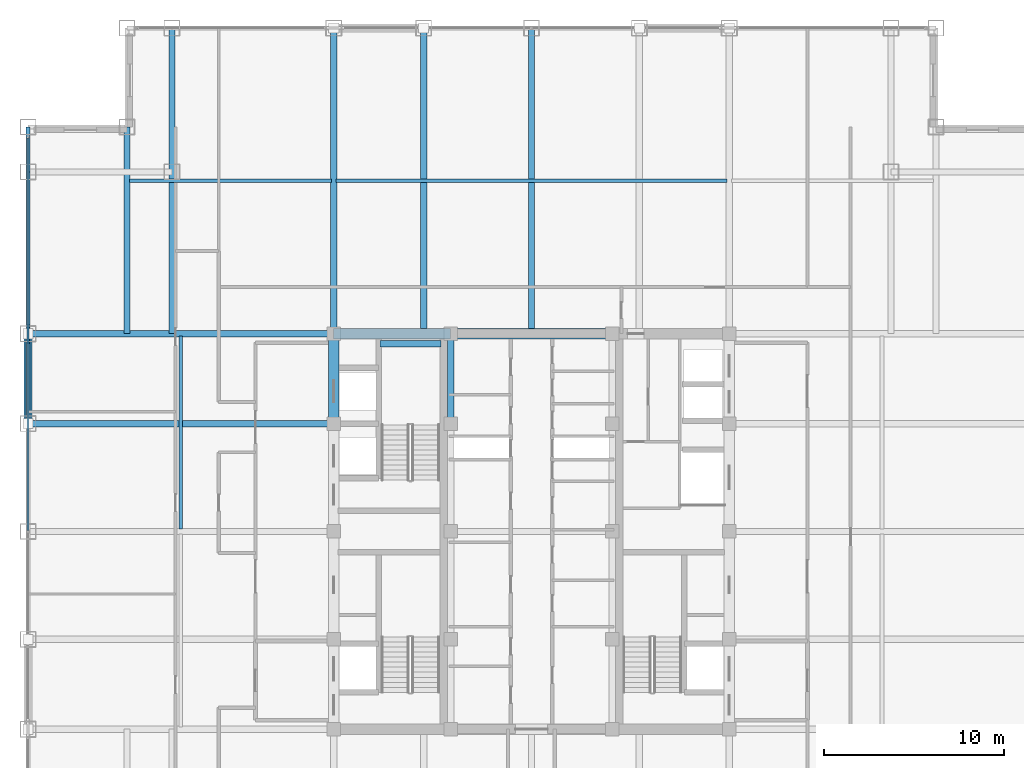
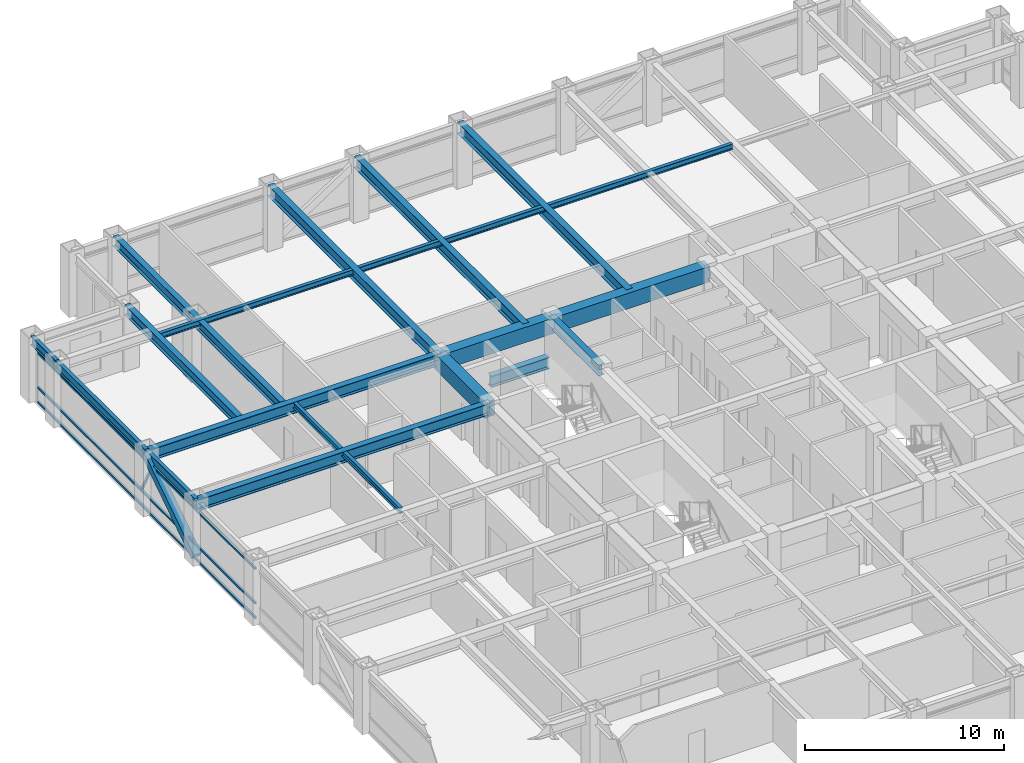
# One storey, part 11 of 22: 18 beams, 5 members, 1 element without a shape of its own.
"""IFC4 building model written with IfcOpenShell, lengths in metres."""

from ifc_helpers import new_model, si_unit, direction, frame, origin, origin_2d, place, context, subcontext, project, spatial, rectangle, hollow_rectangle, i_section, extrude, source, transform, mapped, material, material_profile, profile_set, type_object, element, aggregate, save


model = new_model("IFC4")

# Units and contexts
model_context = context("Model", 3, precision=1e-05, world=origin(), true_north=direction((0.0, 1.0)))
body_context = subcontext(model_context, "Body", "Model", "MODEL_VIEW")
ifc_project = project(units=[si_unit("LENGTHUNIT", "METRE"), si_unit("AREAUNIT", "SQUARE_METRE"), si_unit("VOLUMEUNIT", "CUBIC_METRE"), si_unit("PLANEANGLEUNIT", "RADIAN"), si_unit("MASSUNIT", "GRAM", prefix="KILO")], contexts=[model_context])

# Site, building, storey
site_placement = place(None, origin())
site = spatial("IfcSite", under=ifc_project, at=site_placement, CompositionType="ELEMENT")
building_placement = place(site_placement, origin())
building = spatial("IfcBuilding", under=site, at=building_placement, Name="Khorayat Bourse Tower", CompositionType="ELEMENT")
storey_placement = place(building_placement, frame((0.0, 0.0, 293.5)))
storey = spatial("IfcBuildingStorey", under=building, at=storey_placement, Name="L69", CompositionType="ELEMENT", Elevation=293.5)

# Beams
ifc_material_1 = material(Name="Steel ASTM A992 Grade 50", Category="steel")
ifc_material_profile_1 = material_profile(ifc_material_1, i_section(OverallWidth=0.35498046875, OverallDepth=0.695068359375, WebThickness=0.015380859375, FlangeThickness=0.02490234375, FilletRadius=0.01806640625, at=origin_2d()), Name="W690X217")
ifc_profile_set_1 = profile_set([ifc_material_profile_1], Name="Steel ASTM A992 Grade 50")
beam_type_1 = type_object("IfcBeamType", Name="BM-GIRD-690", PredefinedType="BEAM", material=ifc_profile_set_1)
shared_shape_1 = source(origin(), body_context, "Body", "SweptSolid", [
    extrude(i_section(OverallWidth=0.35498046875, OverallDepth=0.695068359375, WebThickness=0.015380859375, FlangeThickness=0.02490234375, FilletRadius=0.01806640625, at=origin_2d()), origin(), (0.0, 0.0, 1.0), 5.0),
])
beam_1_placement = place(storey_placement, frame((-4.5, 6.0, 3.4326171875), z_axis=(0.0, 1.0, 0.0), x_axis=(-1.0, 0.0, 0.0)))
element("IfcBeam", 1, at=beam_1_placement, inside=storey, type_object=beam_type_1, Name="L69 BM-GIRD-690 BM-L69-CRX-08", PredefinedType="BEAM", context=body_context, shape_type="MappedRepresentation", body=[
    mapped(shared_shape_1, transform((0.0, 0.0, 0.0), scale=1.0)),
])
shared_shape_2 = source(origin(), body_context, "Body", "SweptSolid", [
    extrude(i_section(OverallWidth=0.35498046875, OverallDepth=0.695068359375, WebThickness=0.015380859375, FlangeThickness=0.02490234375, FilletRadius=0.01806640625, at=origin_2d()), origin(), (0.0, 0.0, 1.0), 3.39990234375),
])
beam_2_placement = place(storey_placement, frame((-8.419921875, 10.449951171875, 1.452392578125), z_axis=(1.0, 0.0, 0.0), x_axis=(0.0, 1.0, 0.0)))
element("IfcBeam", 2, at=beam_2_placement, inside=storey, type_object=beam_type_1, Name="L69 BM-GIRD-690 BM-L69-ST2L", PredefinedType="BEAM", context=body_context, shape_type="MappedRepresentation", body=[
    mapped(shared_shape_2, transform((0.0, 0.0, 0.0), scale=1.0)),
])
ifc_material_profile_2 = material_profile(ifc_material_1, i_section(OverallWidth=0.324951171875, OverallDepth=0.615966796875, WebThickness=0.013916015625, FlangeThickness=0.021484375, FilletRadius=0.01611328125, at=origin_2d()), Name="W610X174")
ifc_profile_set_2 = profile_set([ifc_material_profile_2], Name="Steel ASTM A992 Grade 50")
beam_type_2 = type_object("IfcBeamType", Name="BM-GIRD-610", PredefinedType="BEAM", material=ifc_profile_set_2)
shared_shape_3 = source(origin(), body_context, "Body", "SweptSolid", [
    extrude(i_section(OverallWidth=0.324951171875, OverallDepth=0.615966796875, WebThickness=0.013916015625, FlangeThickness=0.021484375, FilletRadius=0.01611328125, at=origin_2d()), origin(), (0.0, 0.0, 1.0), 17.0),
])
beam_3_placement = place(storey_placement, frame((-20.0, 11.0, 3.471923828125), z_axis=(0.0, 1.0, 0.0), x_axis=(-1.0, 0.0, 0.0)))
element("IfcBeam", 3, at=beam_3_placement, inside=storey, type_object=beam_type_2, Name="L69 BM-GIRD-610 BM-L69-CNRY-085", PredefinedType="BEAM", context=body_context, shape_type="MappedRepresentation", body=[
    mapped(shared_shape_3, transform((0.0, 0.0, 0.0), scale=1.0)),
])
ifc_material_2 = material(Name="Concrete C60/75", Category="concrete")
ifc_material_profile_3 = material_profile(ifc_material_2, rectangle(XDim=0.60009765625, YDim=0.949951171875, at=origin_2d()), Name="RC 600x950")
ifc_profile_set_3 = profile_set([ifc_material_profile_3], Name="Concrete C60/75")
beam_type_3 = type_object("IfcBeamType", Name="BM-COUP-950", PredefinedType="BEAM", material=ifc_profile_set_3)
shared_shape_4 = source(origin(), body_context, "Body", "SweptSolid", [
    extrude(rectangle(XDim=0.60009765625, YDim=0.949951171875, at=origin_2d()), origin(), (0.0, 0.0, 1.0), 5.0),
])
beam_4_placement = place(storey_placement, frame((-11.0, 6.0, 3.304931640625), z_axis=(0.0, 1.0, 0.0), x_axis=(-1.0, 0.0, 0.0)))
element("IfcBeam", 4, at=beam_4_placement, inside=storey, type_object=beam_type_3, Name="L69 BM-COUP-950 BM-L69-CRX-04", PredefinedType="BEAM", context=body_context, shape_type="MappedRepresentation", body=[
    mapped(shared_shape_4, transform((0.0, 0.0, 0.0), scale=1.0)),
])
shared_shape_5 = source(origin(), body_context, "Body", "SweptSolid", [
    extrude(rectangle(XDim=0.60009765625, YDim=0.949951171875, at=origin_2d()), origin(), (0.0, 0.0, 1.0), 6.5),
])
beam_5_placement = place(storey_placement, frame((-11.0, 11.0, 3.304931640625), z_axis=(1.0, 0.0, 0.0), x_axis=(0.0, 1.0, 0.0)))
element("IfcBeam", 5, at=beam_5_placement, inside=storey, type_object=beam_type_3, Name="L69 BM-COUP-950 BM-L69-CRY-20", PredefinedType="BEAM", context=body_context, shape_type="MappedRepresentation", body=[
    mapped(shared_shape_5, transform((0.0, 0.0, 0.0), scale=1.0)),
])
shared_shape_6 = source(origin(), body_context, "Body", "SweptSolid", [
    extrude(rectangle(XDim=0.60009765625, YDim=0.949951171875, at=origin_2d()), origin(), (0.0, 0.0, 1.0), 9.0),
])
beam_6_placement = place(storey_placement, frame((-4.5, 11.0, 3.304931640625), z_axis=(1.0, 0.0, 0.0), x_axis=(0.0, 1.0, 0.0)))
element("IfcBeam", 6, at=beam_6_placement, inside=storey, type_object=beam_type_3, Name="L69 BM-COUP-950 BM-L69-CRY-21", PredefinedType="BEAM", context=body_context, shape_type="MappedRepresentation", body=[
    mapped(shared_shape_6, transform((0.0, 0.0, 0.0), scale=1.0)),
])

# Member
ifc_material_3 = material(Name="Steel EN 10025-4 S460M", Category="steel")
ifc_material_profile_4 = material_profile(ifc_material_3, hollow_rectangle(XDim=0.449951171875, YDim=0.449951171875, WallThickness=0.02490234375, at=origin_2d()), Name="HSS 450x450x25")
ifc_profile_set_4 = profile_set([ifc_material_profile_4], Name="Steel EN 10025-4 S460M")
member_type_1 = type_object("IfcMemberType", Name="MBR-TUBE-450", PredefinedType="BRACE", material=ifc_profile_set_4)
shared_shape_7 = source(origin(), body_context, "Body", "SweptSolid", [
    extrude(hollow_rectangle(XDim=0.449951171875, YDim=0.449951171875, WallThickness=0.02490234375, at=origin_2d()), origin(), (0.0, 0.0, 1.0), 5.979736328125),
])
member_1_placement = place(storey_placement, frame((-28.0, 6.0, 0.25), z_axis=(0.0, 0.836141536525, 0.548513747227), x_axis=(-1.0, 0.0, 0.0)))
element("IfcMember", 7, at=member_1_placement, inside=storey, type_object=member_type_1, Name="L69 Perimeter Tube Brace 06", PredefinedType="BRACE", context=body_context, shape_type="MappedRepresentation", body=[
    mapped(shared_shape_7, transform((0.0, 0.0, 0.0), scale=1.0)),
])

# Beams
shared_shape_8 = source(origin(), body_context, "Body", "SweptSolid", [
    extrude(i_section(OverallWidth=0.35498046875, OverallDepth=0.695068359375, WebThickness=0.015380859375, FlangeThickness=0.02490234375, FilletRadius=0.01806640625, at=origin_2d()), origin(), (0.0, 0.0, 1.0), 17.0),
])
for number, where, z_axis, x_axis, name in (
    (8, (-11.0, 11.0, 3.4326171875), (0.0, 1.0, 0.0), (-1.0, 0.0, 0.0), "L69 BM-GIRD-690 BM-L69-RADY-064"),
    (9, (-6.0, 11.0, 3.4326171875), (0.0, 1.0, 0.0), (-1.0, 0.0, 0.0), "L69 BM-GIRD-690 BM-L69-RADY-066"),
    (10, (0.0, 11.0, 3.4326171875), (0.0, 1.0, 0.0), (-1.0, 0.0, 0.0), "L69 BM-GIRD-690 BM-L69-RADY-068"),
    (11, (-28.0, 6.0, 3.4326171875), (1.0, 0.0, 0.0), (0.0, 1.0, 0.0), "L69 BM-GIRD-690 BM-L69-RADX-081"),
    (12, (-28.0, 11.0, 3.4326171875), (1.0, 0.0, 0.0), (0.0, 1.0, 0.0), "L69 BM-GIRD-690 BM-L69-RADX-083"),
):
    element("IfcBeam", number, at=place(storey_placement, frame(where, z_axis=z_axis, x_axis=x_axis)), inside=storey, type_object=beam_type_1, Name=name, PredefinedType="BEAM", context=body_context, shape_type="MappedRepresentation", body=[
        mapped(shared_shape_8, transform((0.0, 0.0, 0.0), scale=1.0)),
    ])
shared_shape_9 = source(origin(), body_context, "Body", "SweptSolid", [
    extrude(i_section(OverallWidth=0.324951171875, OverallDepth=0.615966796875, WebThickness=0.013916015625, FlangeThickness=0.021484375, FilletRadius=0.01611328125, at=origin_2d()), origin(), (0.0, 0.0, 1.0), 11.5),
])
beam_7_placement = place(storey_placement, frame((-22.5, 11.0, 3.471923828125), z_axis=(0.0, 1.0, 0.0), x_axis=(-1.0, 0.0, 0.0)))
element("IfcBeam", 13, at=beam_7_placement, inside=storey, type_object=beam_type_2, Name="L69 BM-GIRD-610 BM-L69-CNRY-089", PredefinedType="BEAM", context=body_context, shape_type="MappedRepresentation", body=[
    mapped(shared_shape_9, transform((0.0, 0.0, 0.0), scale=1.0)),
])
ifc_material_profile_5 = material_profile(ifc_material_1, i_section(OverallWidth=0.202880859375, OverallDepth=0.346923828125, WebThickness=0.0078125, FlangeThickness=0.013427734375, FilletRadius=0.010009765625, at=origin_2d()), Name="W360X64")
ifc_profile_set_5 = profile_set([ifc_material_profile_5], Name="Steel ASTM A992 Grade 50")
beam_type_4 = type_object("IfcBeamType", Name="BM-JOIST-360", PredefinedType="JOIST", material=ifc_profile_set_5)
shared_shape_10 = source(origin(), body_context, "Body", "SweptSolid", [
    extrude(i_section(OverallWidth=0.202880859375, OverallDepth=0.346923828125, WebThickness=0.0078125, FlangeThickness=0.013427734375, FilletRadius=0.010009765625, at=origin_2d()), origin(), (0.0, 0.0, 1.0), 11.240234375),
])
beam_8_placement = place(storey_placement, frame((-22.3701171875, 19.5, 3.6064453125), z_axis=(1.0, 0.0, 0.0), x_axis=(0.0, 1.0, 0.0)))
element("IfcBeam", 14, at=beam_8_placement, inside=storey, type_object=beam_type_4, Name="L69 BM-JOIST-360 BM-L69-JSTX-099", PredefinedType="JOIST", context=body_context, shape_type="MappedRepresentation", body=[
    mapped(shared_shape_10, transform((0.0, 0.0, 0.0), scale=1.0)),
])
shared_shape_11 = source(origin(), body_context, "Body", "SweptSolid", [
    extrude(i_section(OverallWidth=0.202880859375, OverallDepth=0.346923828125, WebThickness=0.0078125, FlangeThickness=0.013427734375, FilletRadius=0.010009765625, at=origin_2d()), origin(), (0.0, 0.0, 1.0), 21.740234375),
])
beam_9_placement = place(storey_placement, frame((-10.8701171875, 19.5, 3.6064453125), z_axis=(1.0, 0.0, 0.0), x_axis=(0.0, 1.0, 0.0)))
element("IfcBeam", 15, at=beam_9_placement, inside=storey, type_object=beam_type_4, Name="L69 BM-JOIST-360 BM-L69-JSTX-100", PredefinedType="JOIST", context=body_context, shape_type="MappedRepresentation", body=[
    mapped(shared_shape_11, transform((0.0, 0.0, 0.0), scale=1.0)),
])
shared_shape_12 = source(origin(), body_context, "Body", "SweptSolid", [
    extrude(i_section(OverallWidth=0.202880859375, OverallDepth=0.346923828125, WebThickness=0.0078125, FlangeThickness=0.013427734375, FilletRadius=0.010009765625, at=origin_2d()), origin(), (0.0, 0.0, 1.0), 10.740234375),
])
beam_10_placement = place(storey_placement, frame((-19.5, 0.1298828125, 3.6064453125), z_axis=(0.0, 1.0, 0.0), x_axis=(-1.0, 0.0, 0.0)))
element("IfcBeam", 16, at=beam_10_placement, inside=storey, type_object=beam_type_4, Name="L69 BM-JOIST-360 BM-L69-JSTY-103", PredefinedType="JOIST", context=body_context, shape_type="MappedRepresentation", body=[
    mapped(shared_shape_12, transform((0.0, 0.0, 0.0), scale=1.0)),
])
ifc_material_profile_6 = material_profile(ifc_material_1, i_section(OverallWidth=0.214111328125, OverallDepth=0.549072265625, WebThickness=0.0146484375, FlangeThickness=0.023681640625, FilletRadius=0.013916015625, at=origin_2d()), Name="W530X138")
ifc_profile_set_6 = profile_set([ifc_material_profile_6], Name="Steel ASTM A992 Grade 50")
beam_type_5 = type_object("IfcBeamType", Name="BM-SPAN-530", PredefinedType="SPANDREL", material=ifc_profile_set_6)
shared_shape_13 = source(origin(), body_context, "Body", "SweptSolid", [
    extrude(i_section(OverallWidth=0.214111328125, OverallDepth=0.549072265625, WebThickness=0.0146484375, FlangeThickness=0.023681640625, FilletRadius=0.013916015625, at=origin_2d()), origin(), (0.0, 0.0, 1.0), 2.5),
])
beam_11_placement = place(storey_placement, frame((-28.0, 20.0, 3.505615234375), z_axis=(0.0, 1.0, 0.0), x_axis=(-1.0, 0.0, 0.0)))
element("IfcBeam", 17, at=beam_11_placement, inside=storey, type_object=beam_type_5, Name="L69 BM-SPAN-530 BM-L69-SPN-054", PredefinedType="SPANDREL", context=body_context, shape_type="MappedRepresentation", body=[
    mapped(shared_shape_13, transform((0.0, 0.0, 0.0), scale=1.0)),
])
shared_shape_14 = source(origin(), body_context, "Body", "SweptSolid", [
    extrude(i_section(OverallWidth=0.214111328125, OverallDepth=0.549072265625, WebThickness=0.0146484375, FlangeThickness=0.023681640625, FilletRadius=0.013916015625, at=origin_2d()), origin(), (0.0, 0.0, 1.0), 9.0),
])
beam_12_placement = place(storey_placement, frame((-28.0, 11.0, 3.505615234375), z_axis=(0.0, 1.0, 0.0), x_axis=(-1.0, 0.0, 0.0)))
element("IfcBeam", 18, at=beam_12_placement, inside=storey, type_object=beam_type_5, Name="L69 BM-SPAN-530 BM-L69-SPN-055", PredefinedType="SPANDREL", context=body_context, shape_type="MappedRepresentation", body=[
    mapped(shared_shape_14, transform((0.0, 0.0, 0.0), scale=1.0)),
])
shared_shape_15 = source(origin(), body_context, "Body", "SweptSolid", [
    extrude(i_section(OverallWidth=0.214111328125, OverallDepth=0.549072265625, WebThickness=0.0146484375, FlangeThickness=0.023681640625, FilletRadius=0.013916015625, at=origin_2d()), origin(), (0.0, 0.0, 1.0), 5.0),
])
beam_13_placement = place(storey_placement, frame((-28.0, 6.0, 3.505615234375), z_axis=(0.0, 1.0, 0.0), x_axis=(-1.0, 0.0, 0.0)))
element("IfcBeam", 19, at=beam_13_placement, inside=storey, type_object=beam_type_5, Name="L69 BM-SPAN-530 BM-L69-SPN-056", PredefinedType="SPANDREL", context=body_context, shape_type="MappedRepresentation", body=[
    mapped(shared_shape_15, transform((0.0, 0.0, 0.0), scale=1.0)),
])

# Curtain wall, members
ifc_material_4 = material(Name="Aluminium EN AW-6063 T6", Category="aluminium")
curtain_wall_type = type_object("IfcCurtainWallType", Name="CW-SYS-04", PredefinedType="NOTDEFINED", material=ifc_material_4)
curtain_wall_placement = place(storey_placement, origin())
curtain_wall = element("IfcCurtainWall", 20, at=curtain_wall_placement, inside=storey, type_object=curtain_wall_type, Name="L69 Curtain Wall CW-L69-W1", PredefinedType="NOTDEFINED")
ifc_material_profile_7 = material_profile(ifc_material_4, hollow_rectangle(XDim=0.1201171875, YDim=0.1201171875, WallThickness=0.0048828125, at=origin_2d()), Name="ALU 120x120x5")
ifc_profile_set_7 = profile_set([ifc_material_profile_7], Name="Aluminium EN AW-6063 T6")
member_type_2 = type_object("IfcMemberType", Name="CWM-DIAG-120", PredefinedType="MULLION", material=ifc_profile_set_7)
shared_shape_16 = source(origin(), body_context, "Body", "SweptSolid", [
    extrude(hollow_rectangle(XDim=0.1201171875, YDim=0.1201171875, WallThickness=0.0048828125, at=origin_2d()), origin(), (0.0, 0.0, 1.0), 2.0791015625),
])
member_2_placement = place(storey_placement, frame((-28.0, 11.4541015625, 1.090087890625), z_axis=(0.0, -0.465717394116, 0.884933505309), x_axis=(1.0, 0.0, 0.0)))
member_2 = element("IfcMember", 21, at=member_2_placement, type_object=member_type_2, Name="CW-L69-W1 Faceted Diagonal Mullion 2", PredefinedType="MULLION", context=body_context, shape_type="MappedRepresentation", body=[
    mapped(shared_shape_16, transform((0.0, 0.0, 0.0), scale=1.0)),
])
ifc_material_profile_8 = material_profile(ifc_material_4, hollow_rectangle(XDim=0.1201171875, YDim=0.1201171875, WallThickness=0.0048828125, at=origin_2d()), Name="ALU 120x120x5")
ifc_profile_set_8 = profile_set([ifc_material_profile_8], Name="Aluminium EN AW-6063 T6")
member_type_3 = type_object("IfcMemberType", Name="CWT-HORZ-120", PredefinedType="USERDEFINED", material=ifc_profile_set_8)
shared_shape_17 = source(origin(), body_context, "Body", "SweptSolid", [
    extrude(hollow_rectangle(XDim=0.1201171875, YDim=0.1201171875, WallThickness=0.0048828125, at=origin_2d()), origin(), (0.0, 0.0, 1.0), 21.81982421875),
])
member_3_placement = place(storey_placement, frame((-28.0, 0.06005859375, 0.06005859375), z_axis=(0.0, 1.0, 0.0), x_axis=(-1.0, 0.0, 0.0)))
member_3 = element("IfcMember", 22, at=member_3_placement, type_object=member_type_3, Name="CW-L69-W1 Horizontal Transom 2-1", ObjectType="TRANSOM", PredefinedType="USERDEFINED", context=body_context, shape_type="MappedRepresentation", body=[
    mapped(shared_shape_17, transform((0.0, 0.0, 0.0), scale=1.0)),
])
member_4_placement = place(storey_placement, frame((-28.0, 0.06005859375, 0.949951171875), z_axis=(0.0, 1.0, 0.0), x_axis=(-1.0, 0.0, 0.0)))
member_4 = element("IfcMember", 23, at=member_4_placement, type_object=member_type_3, Name="CW-L69-W1 Horizontal Transom 2-2", ObjectType="TRANSOM", PredefinedType="USERDEFINED", context=body_context, shape_type="MappedRepresentation", body=[
    mapped(shared_shape_17, transform((0.0, 0.0, 0.0), scale=1.0)),
])
member_5_placement = place(storey_placement, frame((-28.0, 0.06005859375, 3.070068359375), z_axis=(0.0, 1.0, 0.0), x_axis=(-1.0, 0.0, 0.0)))
member_5 = element("IfcMember", 24, at=member_5_placement, type_object=member_type_3, Name="CW-L69-W1 Horizontal Transom 2-3", ObjectType="TRANSOM", PredefinedType="USERDEFINED", context=body_context, shape_type="MappedRepresentation", body=[
    mapped(shared_shape_17, transform((0.0, 0.0, 0.0), scale=1.0)),
])
aggregate(curtain_wall, [member_3, member_4, member_5, member_2])

save(model, "model.ifc")
